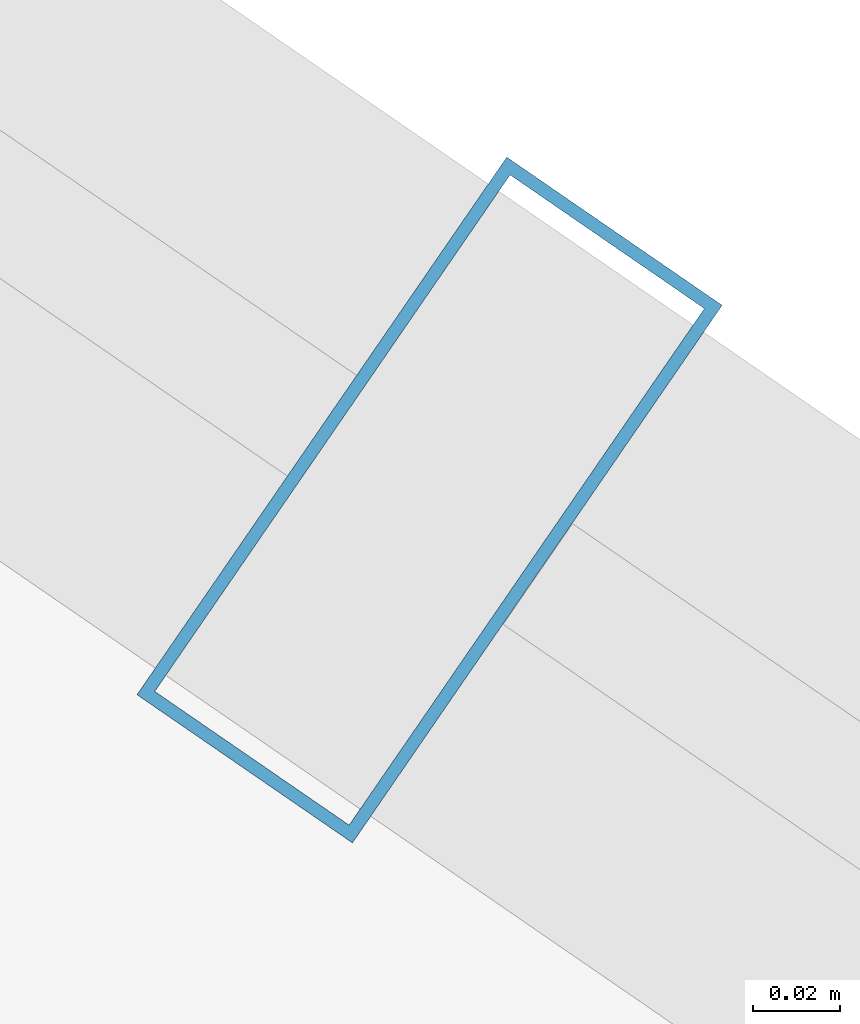
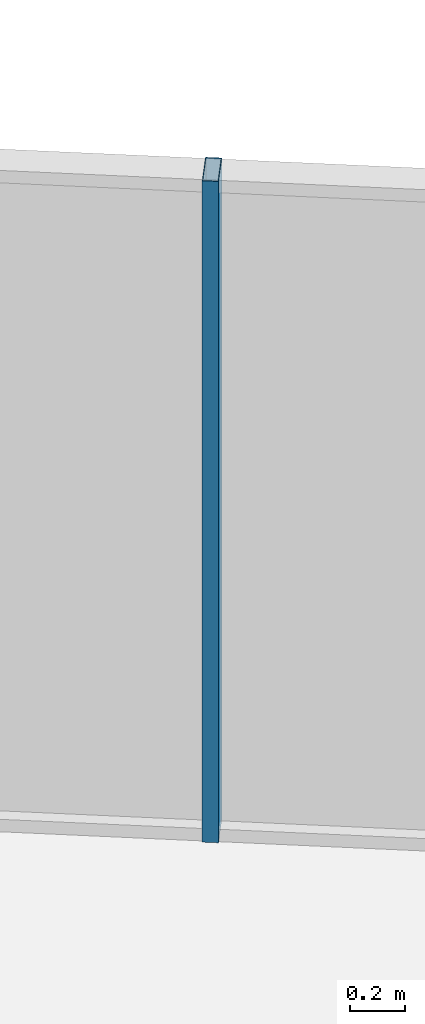
# One storey, part 21 of 29: 1 member, 1 element without a shape of its own.
"""IFC4 building model written with IfcOpenShell, lengths in metres."""

from ifc_helpers import new_model, si_unit, direction, frame, origin, origin_2d, place, context, subcontext, project, spatial, hollow_rectangle, extrude, source, transform, mapped, material, layer, layer_set, material_profile, profile_set, type_object, element, aggregate, save


model = new_model("IFC4")

# Units and contexts
model_context = context("Model", 3, precision=1e-05, world=origin(), true_north=direction((0.0, 1.0)))
body_context = subcontext(model_context, "Body", "Model", "MODEL_VIEW")
ifc_project = project(units=[si_unit("LENGTHUNIT", "METRE"), si_unit("AREAUNIT", "SQUARE_METRE"), si_unit("VOLUMEUNIT", "CUBIC_METRE"), si_unit("PLANEANGLEUNIT", "RADIAN"), si_unit("MASSUNIT", "GRAM", prefix="KILO")], contexts=[model_context])

# Site, building, storey
site_placement = place(None, origin())
site = spatial("IfcSite", under=ifc_project, at=site_placement, CompositionType="ELEMENT")
building_placement = place(site_placement, origin())
building = spatial("IfcBuilding", under=site, at=building_placement, Name="Veraguas Prism Commons", CompositionType="ELEMENT")
storey_placement = place(building_placement, frame((0.0, 0.0, 222.14990234375)))
storey = spatial("IfcBuildingStorey", under=building, at=storey_placement, Name="L63", CompositionType="ELEMENT", Elevation=222.14990234375)

# Curtain wall, member
ifc_material = material(Name="Anodised aluminium EN AW-6063 T6", Category="aluminium")
ifc_layer = layer(ifc_material, 0.14990234375, Name="Unitised Flush Curtain Wall Zone 3", Category="aluminium")
ifc_layer_set = layer_set([ifc_layer], Name="Anodised aluminium EN AW-6063 T6")
curtain_wall_type = type_object("IfcCurtainWallType", Name="Unitised Flush Curtain Wall Zone 3", PredefinedType="NOTDEFINED", material=ifc_layer_set)
curtain_wall_placement = place(storey_placement, origin())
curtain_wall = element("IfcCurtainWall", 1, at=curtain_wall_placement, inside=storey, type_object=curtain_wall_type, Name="Tower Facade Curtain Wall L63-F1", PredefinedType="NOTDEFINED")
ifc_material_profile = material_profile(ifc_material, hollow_rectangle(XDim=0.06005859375, YDim=0.14990234375, WallThickness=0.0029296875, at=origin_2d()), Name="AL60X150X3")
ifc_profile_set = profile_set([ifc_material_profile], Name="Anodised aluminium EN AW-6063 T6")
member_type = type_object("IfcMemberType", Name="Curtain Wall Mullion Upper AL 60x150x3", PredefinedType="MULLION", material=ifc_profile_set)
shared_shape = source(origin(), body_context, "Body", "SweptSolid", [
    extrude(hollow_rectangle(XDim=0.06005859375, YDim=0.14990234375, WallThickness=0.0029296875, at=origin_2d()), origin(), (0.0, 0.0, 1.0), 2.93017578125),
])
member_placement = place(storey_placement, frame((34.0361328125, 38.592041015625, 0.0), z_axis=(0.0, 0.0, 1.0), x_axis=(-0.823926447203, 0.56669675277, 0.0)))
member = element("IfcMember", 2, at=member_placement, type_object=member_type, Name="CW-Z3 Mullion 3", PredefinedType="MULLION", context=body_context, shape_type="MappedRepresentation", body=[
    mapped(shared_shape, transform((0.0, 0.0, 0.0), scale=1.0)),
])
aggregate(curtain_wall, [member])

save(model, "model.ifc")
